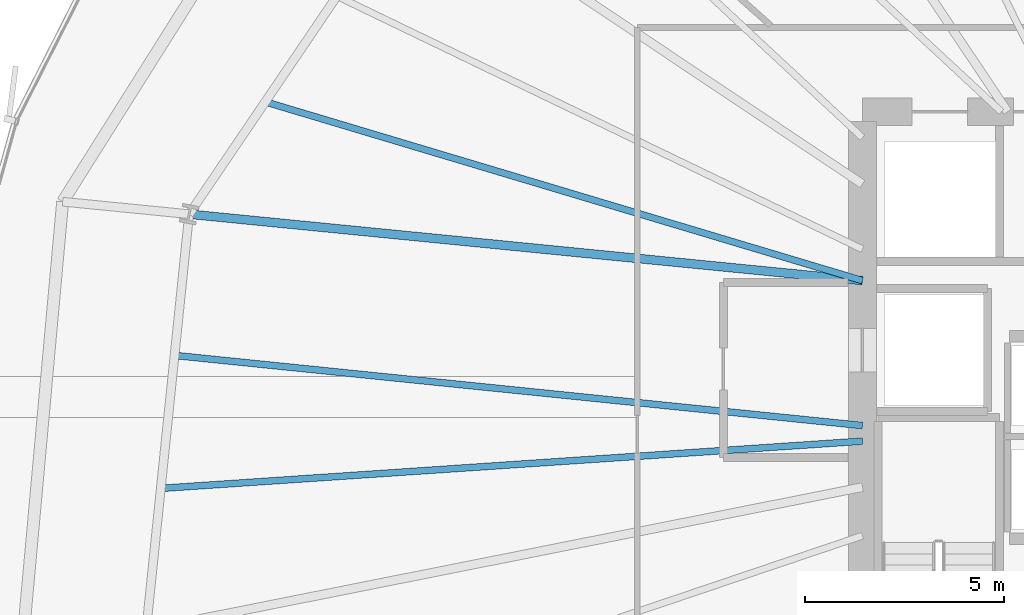
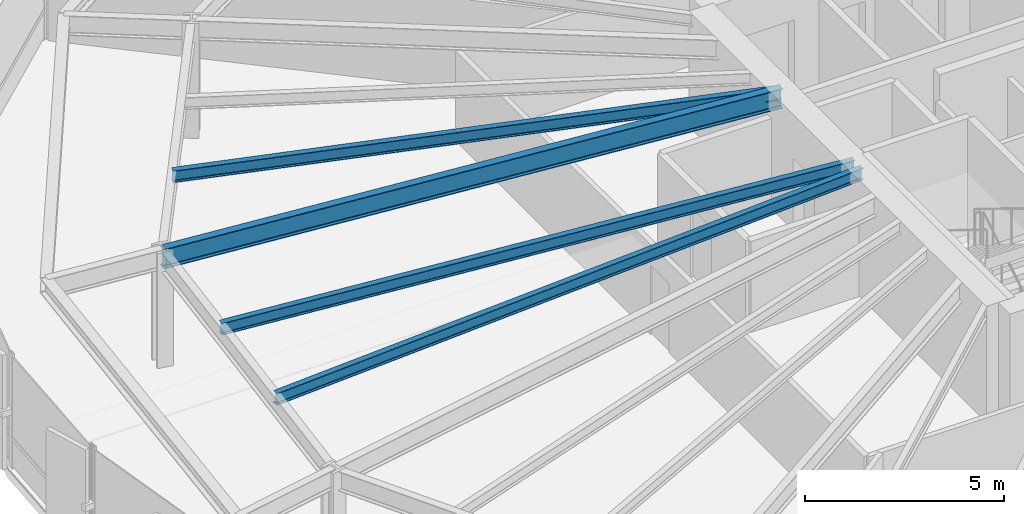
# One storey, part 10 of 39: 4 beams.
"""IFC4 building model written with IfcOpenShell, lengths in metres."""

import ifcopenshell
import ifcopenshell.guid

model = None  # the IFC model being written
_history = None  # IfcOwnerHistory: only IFC2X3 demands one
_inside = {}  # id of a spatial element -> (the spatial element, [elements in it])
_under = {}  # id of a project, library or spatial element -> (it, [spatial elements below it])
_declared = {}  # id of a project -> (the project, [libraries it declares])
_typed = {}  # id of a type object -> (the type object, [elements of that type])
_made_of = {}  # id of a material, layer set ... -> (it, [elements and type objects made of it])


def new_model(schema):
    """Start an empty IFC model of exactly this schema.

    Asked for "IFC4X3", IfcOpenShell would pick the latest addendum, in which some entities
    have other attributes; the version numbers below select the first issue.
    IFC2X3 requires an IfcOwnerHistory on every rooted entity: one is made here for all.
    """
    global model, _history
    if schema == "IFC4X3":
        model = ifcopenshell.file(schema_version=(4, 3, 0, 0))
    else:
        model = ifcopenshell.file(schema=schema)
    _inside.clear()
    _under.clear()
    _declared.clear()
    _typed.clear()
    _made_of.clear()
    _history = None
    if model.schema == "IFC2X3":
        org = make("IfcOrganization", Name="unknown")
        user = make(
            "IfcPersonAndOrganization",
            ThePerson=make("IfcPerson", FamilyName="unknown"),
            TheOrganization=org,
        )
        app = make(
            "IfcApplication",
            ApplicationDeveloper=org,
            Version="unknown",
            ApplicationFullName="unknown",
            ApplicationIdentifier="unknown",
        )
        _history = make(
            "IfcOwnerHistory",
            OwningUser=user,
            OwningApplication=app,
            ChangeAction="ADDED",
            CreationDate=0,
        )
    return model


def make(cls, **values):
    """One entity of the class cls with the attributes given. An attribute that is None is left unset."""
    return model.create_entity(
        cls, **{name: value for name, value in values.items() if value is not None}
    )


def rooted(cls, **values):
    """An entity with a GlobalId (a new one), such as an element, a storey or a relation."""
    return make(cls, GlobalId=ifcopenshell.guid.new(), OwnerHistory=_history, **values)


def si_unit(unit_type, name, prefix=None):
    """IfcSIUnit, for example si_unit("LENGTHUNIT", "METRE", prefix="MILLI")."""
    return make("IfcSIUnit", UnitType=unit_type, Prefix=prefix, Name=name)


def assignment(units):
    """IfcUnitAssignment: the units of a project."""
    return None if units is None else make("IfcUnitAssignment", Units=units)


def point(xyz):
    """IfcCartesianPoint."""
    return None if xyz is None else make("IfcCartesianPoint", Coordinates=xyz)


def direction(xyz):
    """IfcDirection."""
    return None if xyz is None else make("IfcDirection", DirectionRatios=xyz)


def frame(location, z_axis=None, x_axis=None):
    """IfcAxis2Placement3D, a coordinate frame: its origin and axes. An axis left out is left unset."""
    return make(
        "IfcAxis2Placement3D",
        Location=point(location),
        Axis=direction(z_axis),
        RefDirection=direction(x_axis),
    )


def frame_2d(location, x_axis=None):
    """IfcAxis2Placement2D, a coordinate frame in the plane: its origin and x axis."""
    return make(
        "IfcAxis2Placement2D", Location=point(location), RefDirection=direction(x_axis)
    )


def origin():
    """The frame at (0, 0, 0) with its axes left unset."""
    return frame((0.0, 0.0, 0.0))


def origin_2d():
    """The frame at (0, 0) in the plane with its x axis left unset."""
    return frame_2d((0.0, 0.0))


def place(relative_to, where):
    """IfcLocalPlacement: puts the frame where relative to a parent placement (None: the world)."""
    return make(
        "IfcLocalPlacement", PlacementRelTo=relative_to, RelativePlacement=where
    )


def context(
    kind, dimensions, precision=None, world=None, true_north=None, identifier=None
):
    """IfcGeometricRepresentationContext, for example the 3D "Model" context."""
    return make(
        "IfcGeometricRepresentationContext",
        ContextIdentifier=identifier,
        ContextType=kind,
        CoordinateSpaceDimension=dimensions,
        Precision=precision,
        WorldCoordinateSystem=world,
        TrueNorth=true_north,
    )


def subcontext(parent, identifier, kind, view, scale=None):
    """IfcGeometricRepresentationSubContext, for example "Body" below "Model"."""
    return make(
        "IfcGeometricRepresentationSubContext",
        ContextIdentifier=identifier,
        ContextType=kind,
        ParentContext=parent,
        TargetScale=scale,
        TargetView=view,
    )


def project(units=None, contexts=None):
    """IfcProject with its units and contexts."""
    return rooted(
        "IfcProject",
        Name="project",
        RepresentationContexts=contexts,
        UnitsInContext=assignment(units),
    )


def spatial(cls, under=None, at=None, **own):
    """A site, building, storey or space (cls), placed at a placement, below another one or the project."""
    s = rooted(cls, ObjectPlacement=at, **own)
    if under is not None:
        _under.setdefault(under.id(), (under, []))[1].append(s)
    return s


def profile(cls, at=None, kind="AREA", **sizes):
    """A parametric profile (cls). Its sizes go by their IFC names, for example OverallWidth=200.0."""
    return make(cls, ProfileType=kind, Position=at, **sizes)


def i_section(**sizes):
    """IfcIShapeProfileDef."""
    return profile("IfcIShapeProfileDef", **sizes)


def extrude(swept, where, along, depth):
    """IfcExtrudedAreaSolid: the profile swept, set in the frame where, extruded along a direction by depth."""
    return make(
        "IfcExtrudedAreaSolid",
        SweptArea=swept,
        Position=where,
        ExtrudedDirection=direction(along),
        Depth=depth,
    )


def shape(context_of_items, identifier, shape_type, items):
    """IfcShapeRepresentation: the items that make up one representation, for example the "Body"."""
    return make(
        "IfcShapeRepresentation",
        ContextOfItems=context_of_items,
        RepresentationIdentifier=identifier,
        RepresentationType=shape_type,
        Items=items,
    )


def source(mapping_origin, context_of_items, identifier, shape_type, items):
    """IfcRepresentationMap: a shape defined once, which mapped items show again and again."""
    return make(
        "IfcRepresentationMap",
        MappingOrigin=mapping_origin,
        MappedRepresentation=shape(context_of_items, identifier, shape_type, items),
    )


def transform(
    local_origin,
    x_axis=None,
    y_axis=None,
    z_axis=None,
    scale=None,
    scale2=None,
    scale3=None,
    uniform=True,
):
    """IfcCartesianTransformationOperator3D, or its non-uniform kind. x_axis, y_axis, z_axis: its Axis1, 2, 3."""
    if uniform:
        return make(
            "IfcCartesianTransformationOperator3D",
            Axis1=direction(x_axis),
            Axis2=direction(y_axis),
            LocalOrigin=point(local_origin),
            Scale=scale,
            Axis3=direction(z_axis),
        )
    return make(
        "IfcCartesianTransformationOperator3DnonUniform",
        Axis1=direction(x_axis),
        Axis2=direction(y_axis),
        LocalOrigin=point(local_origin),
        Scale=scale,
        Axis3=direction(z_axis),
        Scale2=scale2,
        Scale3=scale3,
    )


def mapped(mapping_source, mapping_target):
    """IfcMappedItem: shows the shape of a source again, moved by a transform."""
    return make(
        "IfcMappedItem", MappingSource=mapping_source, MappingTarget=mapping_target
    )


def material(Name=None, Category=None):
    """IfcMaterial."""
    return make("IfcMaterial", Name=Name, Category=Category)


def material_profile(
    of_material, cross_section, Name=None, Category=None, Priority=None
):
    """IfcMaterialProfile: a cross section and its material."""
    return make(
        "IfcMaterialProfile",
        Name=Name,
        Material=of_material,
        Profile=cross_section,
        Priority=Priority,
        Category=Category,
    )


def profile_set(profiles, Name=None, composite=None):
    """IfcMaterialProfileSet."""
    return make(
        "IfcMaterialProfileSet",
        Name=Name,
        MaterialProfiles=profiles,
        CompositeProfile=composite,
    )


def made_of(thing, what):
    """Note that an element or type object is made of a material, layer set ...; save() writes the relation."""
    if what is not None:
        _made_of.setdefault(what.id(), (what, []))[1].append(thing)
    return thing


def type_object(cls, material=None, **own):
    """A type object (cls), such as IfcWallType, which elements share."""
    return made_of(rooted(cls, **own), material)


def element(
    cls,
    number,
    at=None,
    inside=None,
    cuts=None,
    type_object=None,
    material=None,
    context=None,
    identifier="Body",
    shape_type=None,
    held_by="IfcProductDefinitionShape",
    body=None,
    shapes=None,
    **own,
):
    """One element of the class cls, such as IfcWall. Its Tag is "e" and its number.

    at: its placement. inside: the storey or other place that contains it. cuts: it is an
    opening in that element (IfcRelVoidsElement). A single representation is given by context,
    identifier, shape_type and body (its items); several are given by shapes. held_by: the class
    of the entity that holds the representations. save() writes the other relations.
    """
    e = rooted(cls, Tag="e%d" % number, ObjectPlacement=at, **own)
    if body is not None:
        shapes = [shape(context, identifier, shape_type, body)]
    if shapes is not None:
        e.Representation = make(held_by, Representations=shapes)
    if inside is not None:
        _inside.setdefault(inside.id(), (inside, []))[1].append(e)
    if cuts is not None:
        rooted(
            "IfcRelVoidsElement", RelatingBuildingElement=cuts, RelatedOpeningElement=e
        )
    if type_object is not None:
        _typed.setdefault(type_object.id(), (type_object, []))[1].append(e)
    return made_of(e, material)


def aggregate(whole, parts):
    """IfcRelAggregates: a whole, such as a stair, and the parts it consists of."""
    return rooted("IfcRelAggregates", RelatingObject=whole, RelatedObjects=parts)


def save(model, path):
    """Write the relations noted so far, then the file.

    IfcRelAggregates (storeys below a building ...), IfcRelContainedInSpatialStructure (elements
    in a storey), IfcRelDefinesByType, IfcRelAssociatesMaterial and IfcRelDeclares: one each for
    every whole, place, type object, material and project.
    """
    for whole, parts in _under.values():
        aggregate(whole, parts)
    for where, things in _inside.values():
        rooted(
            "IfcRelContainedInSpatialStructure",
            RelatedElements=things,
            RelatingStructure=where,
        )
    for kind, things in _typed.values():
        rooted("IfcRelDefinesByType", RelatedObjects=things, RelatingType=kind)
    for what, things in _made_of.values():
        rooted("IfcRelAssociatesMaterial", RelatedObjects=things, RelatingMaterial=what)
    for by, libraries in _declared.values():
        rooted("IfcRelDeclares", RelatingContext=by, RelatedDefinitions=libraries)
    model.write(path)


model = new_model("IFC4")

# Units and contexts
model_context = context("Model", 3, precision=1e-05, world=origin(), true_north=direction((0.0, 1.0)))
body_context = subcontext(model_context, "Body", "Model", "MODEL_VIEW")
ifc_project = project(units=[si_unit("LENGTHUNIT", "METRE"), si_unit("AREAUNIT", "SQUARE_METRE"), si_unit("VOLUMEUNIT", "CUBIC_METRE"), si_unit("PLANEANGLEUNIT", "RADIAN"), si_unit("MASSUNIT", "GRAM", prefix="KILO"), si_unit("THERMODYNAMICTEMPERATUREUNIT", "KELVIN")], contexts=[model_context])

# Site, building, storey
site_placement = place(None, origin())
site = spatial("IfcSite", under=ifc_project, at=site_placement, CompositionType="ELEMENT")
building_placement = place(site_placement, origin())
building = spatial("IfcBuilding", under=site, at=building_placement, Name="Kethvar Cultural Tower", CompositionType="ELEMENT")
storey_placement = place(building_placement, frame((0.0, 0.0, 41.0)))
storey = spatial("IfcBuildingStorey", under=building, at=storey_placement, Name="L09", CompositionType="ELEMENT", Elevation=41.0)

# Beams
ifc_material = material(Name="Steel S355J2", Category="steel")
ifc_material_profile_1 = material_profile(ifc_material, i_section(OverallWidth=0.219970703125, OverallDepth=0.60009765625, WebThickness=0.011962890625, FlangeThickness=0.01904296875, FilletRadius=0.02392578125, at=origin_2d()), Name="Steel S355J2 — IPE600")
ifc_profile_set_1 = profile_set([ifc_material_profile_1], Name="Steel S355J2 — IPE600")
beam_type_1 = type_object("IfcBeamType", Name="BM-IPE600", PredefinedType="BEAM", material=ifc_profile_set_1)
shared_shape_1 = source(origin(), body_context, "Body", "SweptSolid", [
    extrude(i_section(OverallWidth=0.219970703125, OverallDepth=0.60009765625, WebThickness=0.011962890625, FlangeThickness=0.01904296875, FilletRadius=0.02392578125, at=origin_2d()), origin(), (0.0, 0.0, 1.0), 17.03515625),
])
beam_1_placement = place(storey_placement, frame((38.0, 31.25, 3.248046875), z_axis=(-0.995168138859, 0.098185413375, 0.0), x_axis=(-0.098185413375, -0.995168138859, 0.0)))
element("IfcBeam", 1, at=beam_1_placement, inside=storey, type_object=beam_type_1, Name="L09 Primary Radial Beam RB-08", PredefinedType="BEAM", context=body_context, shape_type="MappedRepresentation", body=[
    mapped(shared_shape_1, transform((0.0, 0.0, 0.0), scale=1.0)),
])
ifc_material_profile_2 = material_profile(ifc_material, i_section(OverallWidth=0.169921875, OverallDepth=0.360107421875, WebThickness=0.008056640625, FlangeThickness=0.0126953125, FilletRadius=0.01806640625, at=origin_2d()), Name="Steel S355J2 — IPE360")
ifc_profile_set_2 = profile_set([ifc_material_profile_2], Name="Steel S355J2 — IPE360")
beam_type_2 = type_object("IfcBeamType", Name="BM-J360", PredefinedType="JOIST", material=ifc_profile_set_2)
shared_shape_2 = source(origin(), body_context, "Body", "SweptSolid", [
    extrude(i_section(OverallWidth=0.169921875, OverallDepth=0.360107421875, WebThickness=0.008056640625, FlangeThickness=0.0126953125, FilletRadius=0.01806640625, at=origin_2d()), origin(), (0.0, 0.0, 1.0), 15.6953125),
])
beam_2_placement = place(storey_placement, frame((38.0, 31.25, 3.367919921875), z_axis=(-0.958003344758, 0.28675702508, 0.0), x_axis=(-0.28675702508, -0.958003344758, 0.0)))
element("IfcBeam", 2, at=beam_2_placement, inside=storey, type_object=beam_type_2, Name="L09 Composite Floor Joist J-07B", PredefinedType="JOIST", context=body_context, shape_type="MappedRepresentation", body=[
    mapped(shared_shape_2, transform((0.0, 0.0, 0.0), scale=1.0)),
])
shared_shape_3 = source(origin(), body_context, "Body", "SweptSolid", [
    extrude(i_section(OverallWidth=0.169921875, OverallDepth=0.360107421875, WebThickness=0.008056640625, FlangeThickness=0.0126953125, FilletRadius=0.01806640625, at=origin_2d()), origin(), (0.0, 0.0, 1.0), 17.410400390625),
])
beam_3_placement = place(storey_placement, frame((38.0, 27.60009765625, 3.367919921875), z_axis=(-0.99484162516, 0.101440331474, 0.0), x_axis=(-0.101440331474, -0.99484162516, 0.0)))
element("IfcBeam", 3, at=beam_3_placement, inside=storey, type_object=beam_type_2, Name="L09 Composite Floor Joist J-08A", PredefinedType="JOIST", context=body_context, shape_type="MappedRepresentation", body=[
    mapped(shared_shape_3, transform((0.0, 0.0, 0.0), scale=1.0)),
])
shared_shape_4 = source(origin(), body_context, "Body", "SweptSolid", [
    extrude(i_section(OverallWidth=0.169921875, OverallDepth=0.360107421875, WebThickness=0.008056640625, FlangeThickness=0.0126953125, FilletRadius=0.01806640625, at=origin_2d()), origin(), (0.0, 0.0, 1.0), 17.70654296875),
])
beam_4_placement = place(storey_placement, frame((38.0, 27.207763671875, 3.367919921875), z_axis=(-0.997742984455, -0.067148618533, 0.0), x_axis=(0.067148618533, -0.997742984455, 0.0)))
element("IfcBeam", 4, at=beam_4_placement, inside=storey, type_object=beam_type_2, Name="L09 Composite Floor Joist J-08B", PredefinedType="JOIST", context=body_context, shape_type="MappedRepresentation", body=[
    mapped(shared_shape_4, transform((0.0, 0.0, 0.0), scale=1.0)),
])

save(model, "model.ifc")
